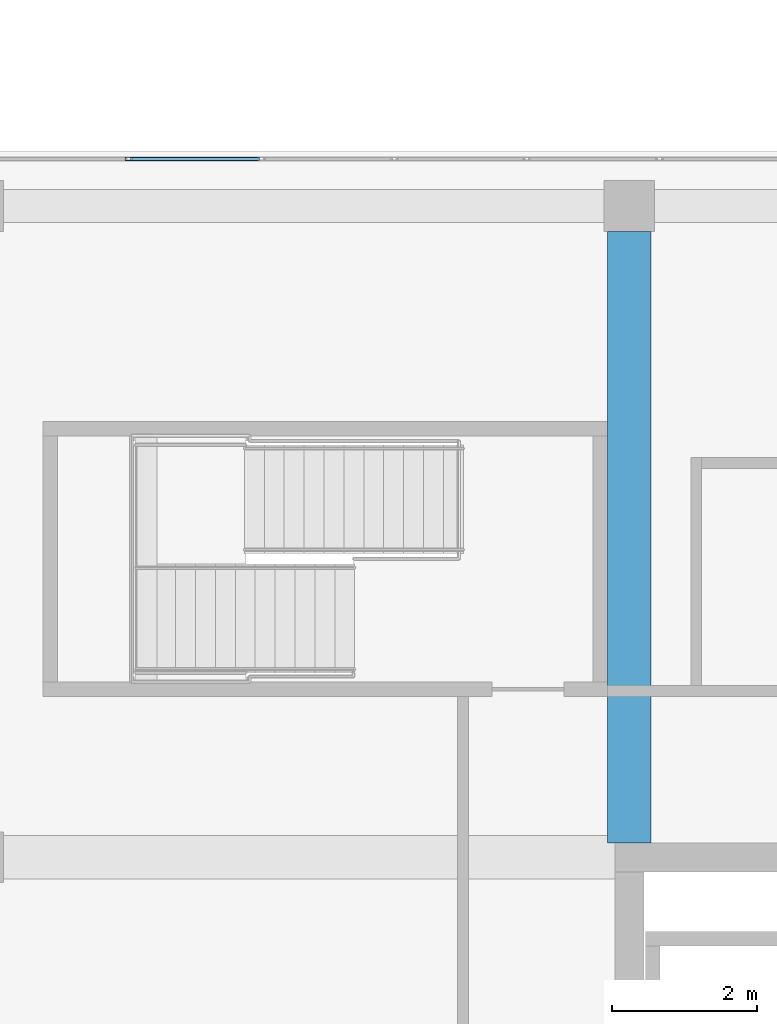
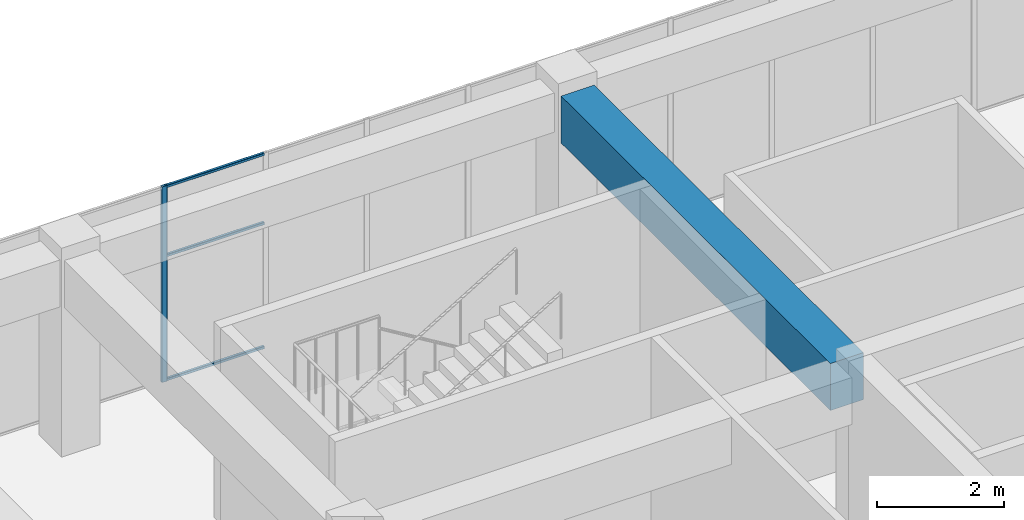
# One storey, part 28 of 43: 4 members, 1 beam, 1 element without a shape of its own.
"""IFC4 building model written with IfcOpenShell, lengths in metres."""

from ifc_helpers import new_model, si_unit, direction, frame, origin, origin_2d, place, context, subcontext, project, spatial, rectangle, hollow_rectangle, extrude, material, layer, layer_set, material_profile, profile_set, type_object, element, aggregate, save


model = new_model("IFC4")

# Units and contexts
model_context = context("Model", 3, precision=1e-05, world=origin(), true_north=direction((0.0, 1.0)))
body_context = subcontext(model_context, "Body", "Model", "MODEL_VIEW")
ifc_project = project(units=[si_unit("LENGTHUNIT", "METRE"), si_unit("AREAUNIT", "SQUARE_METRE"), si_unit("VOLUMEUNIT", "CUBIC_METRE"), si_unit("PLANEANGLEUNIT", "RADIAN"), si_unit("MASSUNIT", "GRAM", prefix="KILO")], contexts=[model_context])

# Site, building, storey
site_placement = place(None, origin())
site = spatial("IfcSite", under=ifc_project, at=site_placement, CompositionType="ELEMENT")
building_placement = place(site_placement, origin())
building = spatial("IfcBuilding", under=site, at=building_placement, Name="Tuart Plaza Theatre", CompositionType="ELEMENT")
storey_placement = place(building_placement, frame((0.0, 0.0, 33.5)))
storey = spatial("IfcBuildingStorey", under=building, at=storey_placement, Name="L08", CompositionType="ELEMENT", Elevation=33.5)

# Beam
ifc_material_1 = material(Name="Concrete N40 (40 MPa)", Category="concrete")
ifc_material_profile_1 = material_profile(ifc_material_1, rectangle(XDim=0.60009765625, YDim=0.89990234375, at=origin_2d()), Name="BEAM 600x900 Concrete N40 (40 MPa)")
ifc_profile_set_1 = profile_set([ifc_material_profile_1], Name="Concrete N40 (40 MPa)")
beam_type = type_object("IfcBeamType", Name="BEAM 600x900 Concrete N40 (40 MPa)", PredefinedType="BEAM", material=ifc_profile_set_1)
beam_placement = place(storey_placement, frame((123.0, 83.199951171875, 3.300048828125), z_axis=(0.0, 1.0, 0.0), x_axis=(-1.0, 0.0, 0.0)))
element("IfcBeam", 1, at=beam_placement, inside=storey, type_object=beam_type, Name="RB266", PredefinedType="BEAM", context=body_context, shape_type="SweptSolid", body=[
    extrude(rectangle(XDim=0.60009765625, YDim=0.89990234375, at=origin_2d()), origin(), (0.0, 0.0, 1.0), 8.449951171875),
])

# Curtain wall, members
ifc_material_2 = material(Name="Aluminium and glass", Category="aluminium")
ifc_layer = layer(ifc_material_2, 0.10009765625)
ifc_layer_set = layer_set([ifc_layer], Name="CURTAIN WALL 1800 module")
curtain_wall_type = type_object("IfcCurtainWallType", Name="CURTAIN WALL 1800 module", PredefinedType="NOTDEFINED", material=ifc_layer_set)
curtain_wall_placement = place(storey_placement, origin())
curtain_wall = element("IfcCurtainWall", 2, at=curtain_wall_placement, inside=storey, type_object=curtain_wall_type, Name="CW95", PredefinedType="NOTDEFINED")
ifc_material_3 = material(Name="Aluminium 6063-T5", Category="aluminium")
ifc_material_profile_2 = material_profile(ifc_material_3, hollow_rectangle(XDim=0.050048828125, YDim=0.10009765625, WallThickness=0.00390625, InnerFilletRadius=0.00390625, OuterFilletRadius=0.008056640625, at=origin_2d()), Name="RHS 100x50x4")
ifc_profile_set_2 = profile_set([ifc_material_profile_2], Name="Aluminium 6063-T5")
member_type_1 = type_object("IfcMemberType", Name="MULLION RHS 100x50x4", PredefinedType="MULLION", material=ifc_profile_set_2)
member_1_placement = place(storey_placement, frame((116.083251953125, 92.64990234375, 0.0), z_axis=(0.0, 0.0, 1.0), x_axis=(0.0, -1.0, 0.0)))
member_1 = element("IfcMember", 3, at=member_1_placement, type_object=member_type_1, Name="CW95 mullion 15", PredefinedType="MULLION", context=body_context, shape_type="SweptSolid", body=[
    extrude(hollow_rectangle(XDim=0.050048828125, YDim=0.10009765625, WallThickness=0.00390625, InnerFilletRadius=0.00390625, OuterFilletRadius=0.008056640625, at=origin_2d()), origin(), (0.0, 0.0, 1.0), 3.75),
])
ifc_material_4 = material(Name="Aluminium 6063-T5", Category="aluminium")
ifc_material_profile_3 = material_profile(ifc_material_4, hollow_rectangle(XDim=0.050048828125, YDim=0.050048828125, WallThickness=0.00390625, InnerFilletRadius=0.00390625, OuterFilletRadius=0.008056640625, at=origin_2d()), Name="RHS 50x50x4")
ifc_profile_set_3 = profile_set([ifc_material_profile_3], Name="Aluminium 6063-T5")
member_type_2 = type_object("IfcMemberType", Name="TRANSOM RHS 50x50x4", PredefinedType="USERDEFINED", material=ifc_profile_set_3)
member_2_placement = place(storey_placement, frame((117.8916015625, 92.64990234375, 0.02490234375), z_axis=(-1.0, 0.0, 0.0), x_axis=(0.0, -1.0, 0.0)))
member_2 = element("IfcMember", 4, at=member_2_placement, type_object=member_type_2, Name="CW95 transom 14.1", ObjectType="TRANSOM", PredefinedType="USERDEFINED", context=body_context, shape_type="SweptSolid", body=[
    extrude(hollow_rectangle(XDim=0.050048828125, YDim=0.050048828125, WallThickness=0.00390625, InnerFilletRadius=0.00390625, OuterFilletRadius=0.008056640625, at=origin_2d()), origin(), (0.0, 0.0, 1.0), 1.783203125),
])
member_3_placement = place(storey_placement, frame((117.8916015625, 92.64990234375, 2.39990234375), z_axis=(-1.0, 0.0, 0.0), x_axis=(0.0, -1.0, 0.0)))
member_3 = element("IfcMember", 5, at=member_3_placement, type_object=member_type_2, Name="CW95 transom 14.2", ObjectType="TRANSOM", PredefinedType="USERDEFINED", context=body_context, shape_type="SweptSolid", body=[
    extrude(hollow_rectangle(XDim=0.050048828125, YDim=0.050048828125, WallThickness=0.00390625, InnerFilletRadius=0.00390625, OuterFilletRadius=0.008056640625, at=origin_2d()), origin(), (0.0, 0.0, 1.0), 1.783203125),
])
member_4_placement = place(storey_placement, frame((117.8916015625, 92.64990234375, 3.72509765625), z_axis=(-1.0, 0.0, 0.0), x_axis=(0.0, -1.0, 0.0)))
member_4 = element("IfcMember", 6, at=member_4_placement, type_object=member_type_2, Name="CW95 transom 14.3", ObjectType="TRANSOM", PredefinedType="USERDEFINED", context=body_context, shape_type="SweptSolid", body=[
    extrude(hollow_rectangle(XDim=0.050048828125, YDim=0.050048828125, WallThickness=0.00390625, InnerFilletRadius=0.00390625, OuterFilletRadius=0.008056640625, at=origin_2d()), origin(), (0.0, 0.0, 1.0), 1.783203125),
])
aggregate(curtain_wall, [member_1, member_2, member_3, member_4])

save(model, "model.ifc")
